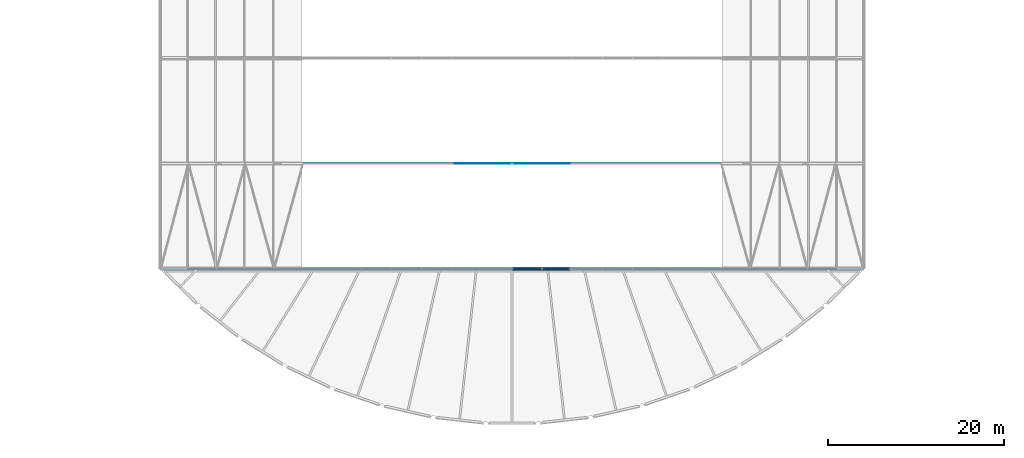
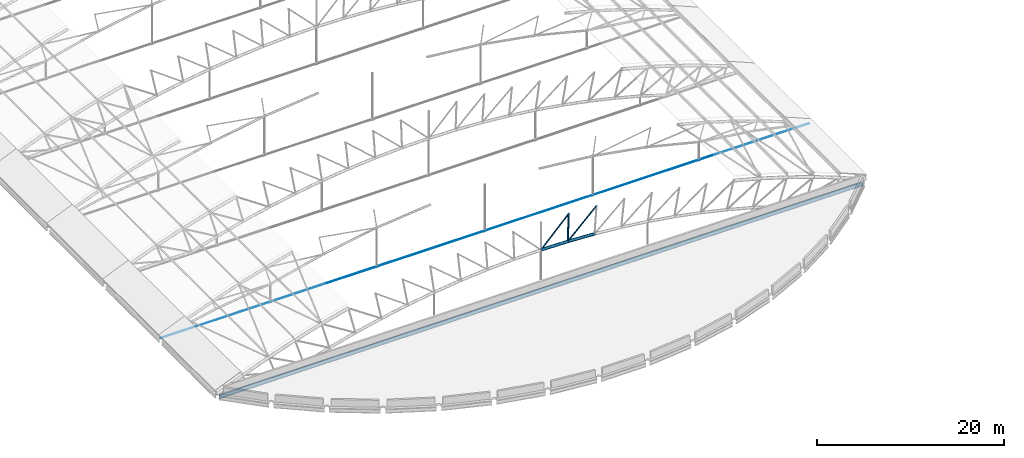
# One storey, part 24 of 321: 6 members, 1 beam.
"""IFC4 building model written with IfcOpenShell, lengths in metres."""

import ifcopenshell
import ifcopenshell.guid

model = None  # the IFC model being written
_history = None  # IfcOwnerHistory: only IFC2X3 demands one
_inside = {}  # id of a spatial element -> (the spatial element, [elements in it])
_under = {}  # id of a project, library or spatial element -> (it, [spatial elements below it])
_declared = {}  # id of a project -> (the project, [libraries it declares])
_typed = {}  # id of a type object -> (the type object, [elements of that type])
_made_of = {}  # id of a material, layer set ... -> (it, [elements and type objects made of it])


def new_model(schema):
    """Start an empty IFC model of exactly this schema.

    Asked for "IFC4X3", IfcOpenShell would pick the latest addendum, in which some entities
    have other attributes; the version numbers below select the first issue.
    IFC2X3 requires an IfcOwnerHistory on every rooted entity: one is made here for all.
    """
    global model, _history
    if schema == "IFC4X3":
        model = ifcopenshell.file(schema_version=(4, 3, 0, 0))
    else:
        model = ifcopenshell.file(schema=schema)
    _inside.clear()
    _under.clear()
    _declared.clear()
    _typed.clear()
    _made_of.clear()
    _history = None
    if model.schema == "IFC2X3":
        org = make("IfcOrganization", Name="unknown")
        user = make(
            "IfcPersonAndOrganization",
            ThePerson=make("IfcPerson", FamilyName="unknown"),
            TheOrganization=org,
        )
        app = make(
            "IfcApplication",
            ApplicationDeveloper=org,
            Version="unknown",
            ApplicationFullName="unknown",
            ApplicationIdentifier="unknown",
        )
        _history = make(
            "IfcOwnerHistory",
            OwningUser=user,
            OwningApplication=app,
            ChangeAction="ADDED",
            CreationDate=0,
        )
    return model


def make(cls, **values):
    """One entity of the class cls with the attributes given. An attribute that is None is left unset."""
    return model.create_entity(
        cls, **{name: value for name, value in values.items() if value is not None}
    )


def rooted(cls, **values):
    """An entity with a GlobalId (a new one), such as an element, a storey or a relation."""
    return make(cls, GlobalId=ifcopenshell.guid.new(), OwnerHistory=_history, **values)


def si_unit(unit_type, name, prefix=None):
    """IfcSIUnit, for example si_unit("LENGTHUNIT", "METRE", prefix="MILLI")."""
    return make("IfcSIUnit", UnitType=unit_type, Prefix=prefix, Name=name)


def assignment(units):
    """IfcUnitAssignment: the units of a project."""
    return None if units is None else make("IfcUnitAssignment", Units=units)


def point(xyz):
    """IfcCartesianPoint."""
    return None if xyz is None else make("IfcCartesianPoint", Coordinates=xyz)


def direction(xyz):
    """IfcDirection."""
    return None if xyz is None else make("IfcDirection", DirectionRatios=xyz)


def frame(location, z_axis=None, x_axis=None):
    """IfcAxis2Placement3D, a coordinate frame: its origin and axes. An axis left out is left unset."""
    return make(
        "IfcAxis2Placement3D",
        Location=point(location),
        Axis=direction(z_axis),
        RefDirection=direction(x_axis),
    )


def frame_2d(location, x_axis=None):
    """IfcAxis2Placement2D, a coordinate frame in the plane: its origin and x axis."""
    return make(
        "IfcAxis2Placement2D", Location=point(location), RefDirection=direction(x_axis)
    )


def origin():
    """The frame at (0, 0, 0) with its axes left unset."""
    return frame((0.0, 0.0, 0.0))


def origin_2d():
    """The frame at (0, 0) in the plane with its x axis left unset."""
    return frame_2d((0.0, 0.0))


def place(relative_to, where):
    """IfcLocalPlacement: puts the frame where relative to a parent placement (None: the world)."""
    return make(
        "IfcLocalPlacement", PlacementRelTo=relative_to, RelativePlacement=where
    )


def context(
    kind, dimensions, precision=None, world=None, true_north=None, identifier=None
):
    """IfcGeometricRepresentationContext, for example the 3D "Model" context."""
    return make(
        "IfcGeometricRepresentationContext",
        ContextIdentifier=identifier,
        ContextType=kind,
        CoordinateSpaceDimension=dimensions,
        Precision=precision,
        WorldCoordinateSystem=world,
        TrueNorth=true_north,
    )


def subcontext(parent, identifier, kind, view, scale=None):
    """IfcGeometricRepresentationSubContext, for example "Body" below "Model"."""
    return make(
        "IfcGeometricRepresentationSubContext",
        ContextIdentifier=identifier,
        ContextType=kind,
        ParentContext=parent,
        TargetScale=scale,
        TargetView=view,
    )


def project(units=None, contexts=None):
    """IfcProject with its units and contexts."""
    return rooted(
        "IfcProject",
        Name="project",
        RepresentationContexts=contexts,
        UnitsInContext=assignment(units),
    )


def spatial(cls, under=None, at=None, **own):
    """A site, building, storey or space (cls), placed at a placement, below another one or the project."""
    s = rooted(cls, ObjectPlacement=at, **own)
    if under is not None:
        _under.setdefault(under.id(), (under, []))[1].append(s)
    return s


def profile(cls, at=None, kind="AREA", **sizes):
    """A parametric profile (cls). Its sizes go by their IFC names, for example OverallWidth=200.0."""
    return make(cls, ProfileType=kind, Position=at, **sizes)


def circle(**sizes):
    """IfcCircleProfileDef."""
    return profile("IfcCircleProfileDef", **sizes)


def hollow_circle(**sizes):
    """IfcCircleHollowProfileDef."""
    return profile("IfcCircleHollowProfileDef", **sizes)


def i_section(**sizes):
    """IfcIShapeProfileDef."""
    return profile("IfcIShapeProfileDef", **sizes)


def extrude(swept, where, along, depth):
    """IfcExtrudedAreaSolid: the profile swept, set in the frame where, extruded along a direction by depth."""
    return make(
        "IfcExtrudedAreaSolid",
        SweptArea=swept,
        Position=where,
        ExtrudedDirection=direction(along),
        Depth=depth,
    )


def shape(context_of_items, identifier, shape_type, items):
    """IfcShapeRepresentation: the items that make up one representation, for example the "Body"."""
    return make(
        "IfcShapeRepresentation",
        ContextOfItems=context_of_items,
        RepresentationIdentifier=identifier,
        RepresentationType=shape_type,
        Items=items,
    )


def material(Name=None, Category=None):
    """IfcMaterial."""
    return make("IfcMaterial", Name=Name, Category=Category)


def material_profile(
    of_material, cross_section, Name=None, Category=None, Priority=None
):
    """IfcMaterialProfile: a cross section and its material."""
    return make(
        "IfcMaterialProfile",
        Name=Name,
        Material=of_material,
        Profile=cross_section,
        Priority=Priority,
        Category=Category,
    )


def profile_set(profiles, Name=None, composite=None):
    """IfcMaterialProfileSet."""
    return make(
        "IfcMaterialProfileSet",
        Name=Name,
        MaterialProfiles=profiles,
        CompositeProfile=composite,
    )


def made_of(thing, what):
    """Note that an element or type object is made of a material, layer set ...; save() writes the relation."""
    if what is not None:
        _made_of.setdefault(what.id(), (what, []))[1].append(thing)
    return thing


def type_object(cls, material=None, **own):
    """A type object (cls), such as IfcWallType, which elements share."""
    return made_of(rooted(cls, **own), material)


def element(
    cls,
    number,
    at=None,
    inside=None,
    cuts=None,
    type_object=None,
    material=None,
    context=None,
    identifier="Body",
    shape_type=None,
    held_by="IfcProductDefinitionShape",
    body=None,
    shapes=None,
    **own,
):
    """One element of the class cls, such as IfcWall. Its Tag is "e" and its number.

    at: its placement. inside: the storey or other place that contains it. cuts: it is an
    opening in that element (IfcRelVoidsElement). A single representation is given by context,
    identifier, shape_type and body (its items); several are given by shapes. held_by: the class
    of the entity that holds the representations. save() writes the other relations.
    """
    e = rooted(cls, Tag="e%d" % number, ObjectPlacement=at, **own)
    if body is not None:
        shapes = [shape(context, identifier, shape_type, body)]
    if shapes is not None:
        e.Representation = make(held_by, Representations=shapes)
    if inside is not None:
        _inside.setdefault(inside.id(), (inside, []))[1].append(e)
    if cuts is not None:
        rooted(
            "IfcRelVoidsElement", RelatingBuildingElement=cuts, RelatedOpeningElement=e
        )
    if type_object is not None:
        _typed.setdefault(type_object.id(), (type_object, []))[1].append(e)
    return made_of(e, material)


def aggregate(whole, parts):
    """IfcRelAggregates: a whole, such as a stair, and the parts it consists of."""
    return rooted("IfcRelAggregates", RelatingObject=whole, RelatedObjects=parts)


def save(model, path):
    """Write the relations noted so far, then the file.

    IfcRelAggregates (storeys below a building ...), IfcRelContainedInSpatialStructure (elements
    in a storey), IfcRelDefinesByType, IfcRelAssociatesMaterial and IfcRelDeclares: one each for
    every whole, place, type object, material and project.
    """
    for whole, parts in _under.values():
        aggregate(whole, parts)
    for where, things in _inside.values():
        rooted(
            "IfcRelContainedInSpatialStructure",
            RelatedElements=things,
            RelatingStructure=where,
        )
    for kind, things in _typed.values():
        rooted("IfcRelDefinesByType", RelatedObjects=things, RelatingType=kind)
    for what, things in _made_of.values():
        rooted("IfcRelAssociatesMaterial", RelatedObjects=things, RelatingMaterial=what)
    for by, libraries in _declared.values():
        rooted("IfcRelDeclares", RelatingContext=by, RelatedDefinitions=libraries)
    model.write(path)


model = new_model("IFC4")

# Units and contexts
model_context = context("Model", 3, precision=1e-05, world=origin(), true_north=direction((0.0, 1.0)))
body_context = subcontext(model_context, "Body", "Model", "MODEL_VIEW")
ifc_project = project(units=[si_unit("LENGTHUNIT", "METRE"), si_unit("AREAUNIT", "SQUARE_METRE"), si_unit("VOLUMEUNIT", "CUBIC_METRE"), si_unit("PLANEANGLEUNIT", "RADIAN"), si_unit("MASSUNIT", "GRAM", prefix="KILO")], contexts=[model_context])

# Site, building, storey
site_placement = place(None, origin())
site = spatial("IfcSite", under=ifc_project, at=site_placement, CompositionType="ELEMENT")
building_placement = place(site_placement, origin())
building = spatial("IfcBuilding", under=site, at=building_placement, Name="Ravi Spectrum Wholesale Market", CompositionType="ELEMENT")
storey_placement = place(building_placement, frame((0.0, 0.0, 10.800048828125)))
storey = spatial("IfcBuildingStorey", under=building, at=storey_placement, Name="L02", CompositionType="ELEMENT", Elevation=10.800048828125)

# Members
ifc_material_1 = material(Name="Steel S355", Category="steel")
ifc_material_profile_1 = material_profile(ifc_material_1, hollow_circle(Radius=0.084228515625, WallThickness=0.00634765625, at=origin_2d()))
ifc_profile_set_1 = profile_set([ifc_material_profile_1], Name="Steel S355")
member_type_1 = type_object("IfcMemberType", Name="CHS 168.3x6.3 brace", PredefinedType="BRACE", material=ifc_profile_set_1)
for number, where, z_axis, x_axis, name in (
    (1, (73.4296875, 30.0, 8.3408203125), (-0.695749704847, 0.0, -0.718284308756), (0.0, -1.0, 0.0), "H1-MB-L02-083"),
    (2, (76.85546875, 30.0, 8.163330078125), (-0.7201093859, 0.0, -0.69386055684), (0.0, -1.0, 0.0), "H1-MB-L02-084"),
):
    element("IfcMember", number, at=place(storey_placement, frame(where, z_axis=z_axis, x_axis=x_axis)), inside=storey, type_object=member_type_1, Name=name, PredefinedType="BRACE", context=body_context, shape_type="SweptSolid", body=[
        extrude(hollow_circle(Radius=0.084228515625, WallThickness=0.00634765625, at=origin_2d()), origin(), (0.0, 0.0, 1.0), 4.929443359375),
    ])
ifc_material_2 = material(Name="Steel S355", Category="steel")
ifc_material_profile_2 = material_profile(ifc_material_2, hollow_circle(Radius=0.109619140625, WallThickness=0.008056640625, at=origin_2d()))
ifc_profile_set_2 = profile_set([ifc_material_profile_2], Name="Steel S355")
member_type_2 = type_object("IfcMemberType", Name="CHS 219.1x8 post", PredefinedType="POST", material=ifc_profile_set_2)
member_1_placement = place(storey_placement, frame((73.4296875, 30.0, 8.3408203125), z_axis=(-0.034450597287, 0.0, -0.999406401994), x_axis=(0.0, -1.0, 0.0)))
element("IfcMember", 3, at=member_1_placement, inside=storey, type_object=member_type_2, Name="H1-MB-L02-061", PredefinedType="POST", context=body_context, shape_type="SweptSolid", body=[
    extrude(hollow_circle(Radius=0.109619140625, WallThickness=0.008056640625, at=origin_2d()), origin(), (0.0, 0.0, 1.0), 3.60009765625),
])
ifc_material_3 = material(Name="Steel S355", Category="steel")
ifc_material_profile_3 = material_profile(ifc_material_3, hollow_circle(Radius=0.177734375, WallThickness=0.012451171875, at=origin_2d()))
ifc_profile_set_3 = profile_set([ifc_material_profile_3], Name="Steel S355")
member_type_3 = type_object("IfcMemberType", Name="CHS 355.6x12.5 chord", PredefinedType="CHORD", material=ifc_profile_set_3)
for number, where, z_axis, x_axis, name in (
    (4, (70.0, 30.0, 4.800048828125), (0.999850697486, 0.0, -0.017279546766), (0.0, 1.0, 0.0), "H1-MB-L02-037"),
    (5, (73.3056640625, 30.0, 4.742919921875), (0.99866314533, 0.0, -0.051690638992), (0.0, 1.0, 0.0), "H1-MB-L02-038"),
):
    element("IfcMember", number, at=place(storey_placement, frame(where, z_axis=z_axis, x_axis=x_axis)), inside=storey, type_object=member_type_3, Name=name, PredefinedType="CHORD", context=body_context, shape_type="SweptSolid", body=[
        extrude(hollow_circle(Radius=0.177734375, WallThickness=0.012451171875, at=origin_2d()), origin(), (0.0, 0.0, 1.0), 3.30615234375),
    ])

# Beam
ifc_material_4 = material(Name="Steel S355", Category="steel")
ifc_material_profile_4 = material_profile(ifc_material_4, i_section(OverallWidth=0.199951171875, OverallDepth=0.5, WebThickness=0.01025390625, FlangeThickness=0.01611328125, at=origin_2d()))
ifc_profile_set_4 = profile_set([ifc_material_profile_4], Name="Steel S355")
beam_type = type_object("IfcBeamType", Name="IPE 500 girder", PredefinedType="BEAM", material=ifc_profile_set_4)
beam_placement = place(storey_placement, frame((30.25390625, 30.0, -0.449951171875), z_axis=(1.0, 0.0, 0.0), x_axis=(0.0, 1.0, 0.0)))
element("IfcBeam", 6, at=beam_placement, inside=storey, type_object=beam_type, Name="H1-BM-L02-029", PredefinedType="BEAM", context=body_context, shape_type="SweptSolid", body=[
    extrude(i_section(OverallWidth=0.199951171875, OverallDepth=0.5, WebThickness=0.01025390625, FlangeThickness=0.01611328125, at=origin_2d()), origin(), (0.0, 0.0, 1.0), 79.4921875),
])

# Member
ifc_material_5 = material(Name="Steel S460", Category="steel")
ifc_material_profile_5 = material_profile(ifc_material_5, circle(Radius=0.034912109375, at=origin_2d()))
ifc_profile_set_5 = profile_set([ifc_material_profile_5], Name="Steel S460")
member_type_4 = type_object("IfcMemberType", Name="ROD 70 tie", PredefinedType="BRACE", material=ifc_profile_set_5)
member_2_placement = place(storey_placement, frame((29.98974609375, 42.0, 0.023193359375), z_axis=(1.0, 0.0, 0.0), x_axis=(0.0, 1.0, 0.0)))
element("IfcMember", 7, at=member_2_placement, inside=storey, type_object=member_type_4, Name="H1-MB-L02-157", PredefinedType="BRACE", context=body_context, shape_type="SweptSolid", body=[
    extrude(circle(Radius=0.034912109375, at=origin_2d()), origin(), (0.0, 0.0, 1.0), 80.0205078125),
])

save(model, "model.ifc")
